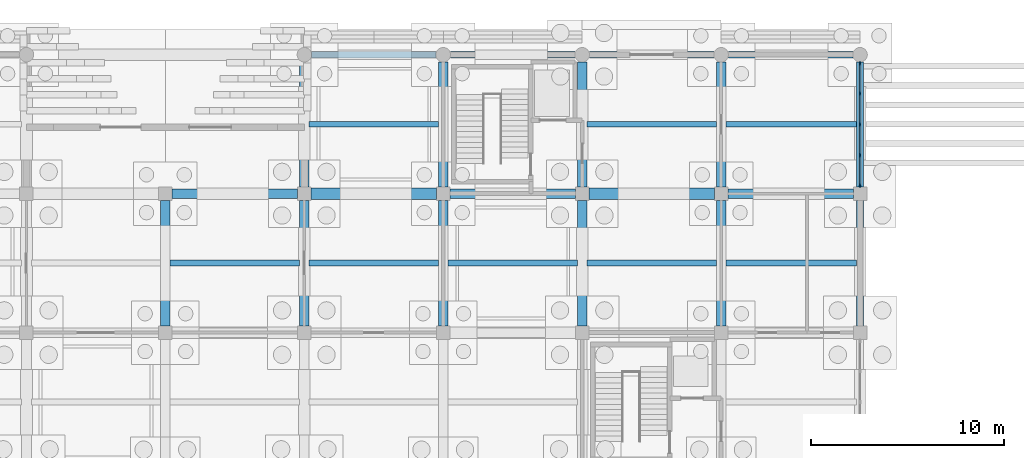
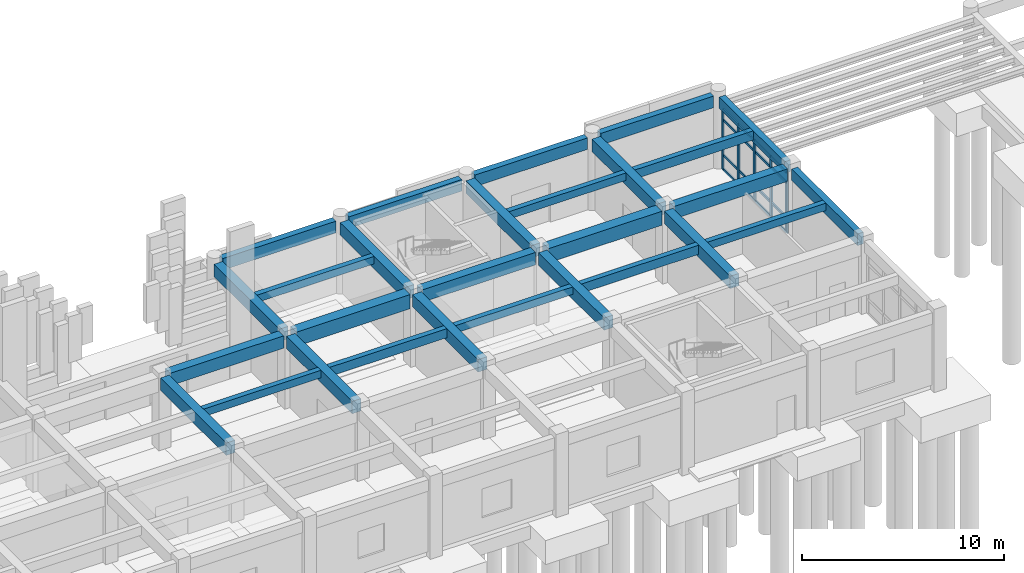
# One storey, part 33 of 79: 28 beams, 21 members, 1 element without a shape of its own.
"""IFC4 building model written with IfcOpenShell, lengths in metres."""

from ifc_helpers import new_model, si_unit, direction, frame, origin, origin_2d, place, context, subcontext, project, spatial, rectangle, extrude, material, layer, layer_set, material_profile, profile_set, type_object, element, aggregate, save


model = new_model("IFC4")

# Units and contexts
model_context = context("Model", 3, precision=1e-05, world=origin(), true_north=direction((0.0, 1.0)))
body_context = subcontext(model_context, "Body", "Model", "MODEL_VIEW")
ifc_project = project(units=[si_unit("LENGTHUNIT", "METRE"), si_unit("AREAUNIT", "SQUARE_METRE"), si_unit("VOLUMEUNIT", "CUBIC_METRE"), si_unit("PLANEANGLEUNIT", "RADIAN"), si_unit("MASSUNIT", "GRAM", prefix="KILO")], contexts=[model_context])

# Site, building, storey
site_placement = place(None, origin())
site = spatial("IfcSite", under=ifc_project, at=site_placement, CompositionType="ELEMENT")
building_placement = place(site_placement, origin())
building = spatial("IfcBuilding", under=site, at=building_placement, Name="Kavelor Marine Aquarium", CompositionType="ELEMENT")
storey_placement = place(building_placement, origin())
storey = spatial("IfcBuildingStorey", under=building, at=storey_placement, Name="L00", CompositionType="ELEMENT", Elevation=0.0)

# Beams
ifc_material_1 = material(Name="Concrete C40/50", Category="concrete")
ifc_material_profile_1 = material_profile(ifc_material_1, rectangle(XDim=0.60009765625, YDim=0.85009765625, at=origin_2d()), Name="RC-BM 600x850")
ifc_profile_set_1 = profile_set([ifc_material_profile_1], Name="Concrete C40/50")
beam_type_1 = type_object("IfcBeamType", Name="BM-B1", PredefinedType="BEAM", material=ifc_profile_set_1)
for number, where, z_axis, x_axis, name in (
    (1, (75.550048828125, 103.60009765625, 3.955078125), (1.0, 0.0, 0.0), (0.0, 1.0, 0.0), "bm:x:L00:L01:10_14"),
    (2, (89.949951171875, 103.60009765625, 3.955078125), (1.0, 0.0, 0.0), (0.0, 1.0, 0.0), "bm:x:L00:L01:12_14"),
):
    element("IfcBeam", number, at=place(storey_placement, frame(where, z_axis=z_axis, x_axis=x_axis)), inside=storey, type_object=beam_type_1, Name=name, PredefinedType="BEAM", context=body_context, shape_type="SweptSolid", body=[
        extrude(rectangle(XDim=0.60009765625, YDim=0.85009765625, at=origin_2d()), origin(), (0.0, 0.0, 1.0), 6.5),
    ])
ifc_material_2 = material(Name="Concrete C40/50", Category="concrete")
ifc_material_profile_2 = material_profile(ifc_material_2, rectangle(XDim=0.5, YDim=0.75, at=origin_2d()), Name="RC-BM 500x750")
ifc_profile_set_2 = profile_set([ifc_material_profile_2], Name="Concrete C40/50")
beam_type_2 = type_object("IfcBeamType", Name="BM-B2", PredefinedType="BEAM", material=ifc_profile_set_2)
for number, where, z_axis, x_axis, name in (
    (3, (68.35009765625, 103.60009765625, 4.0048828125), (1.0, 0.0, 0.0), (0.0, 1.0, 0.0), "bm:x:L00:L01:09_14"),
    (4, (82.75, 103.60009765625, 4.0048828125), (1.0, 0.0, 0.0), (0.0, 1.0, 0.0), "bm:x:L00:L01:11_14"),
    (5, (97.14990234375, 103.60009765625, 4.0048828125), (1.0, 0.0, 0.0), (0.0, 1.0, 0.0), "bm:x:L00:L01:13_14"),
    (6, (68.0, 96.75, 4.0048828125), (0.0, 1.0, 0.0), (-1.0, 0.0, 0.0), "bm:y:L00:L01:09_13"),
    (7, (75.199951171875, 96.75, 4.0048828125), (0.0, 1.0, 0.0), (-1.0, 0.0, 0.0), "bm:y:L00:L01:10_13"),
):
    element("IfcBeam", number, at=place(storey_placement, frame(where, z_axis=z_axis, x_axis=x_axis)), inside=storey, type_object=beam_type_2, Name=name, PredefinedType="BEAM", context=body_context, shape_type="SweptSolid", body=[
        extrude(rectangle(XDim=0.5, YDim=0.75, at=origin_2d()), origin(), (0.0, 0.0, 1.0), 6.5),
    ])
beam_1_placement = place(storey_placement, frame((75.199951171875, 103.949951171875, 4.0048828125), z_axis=(0.0, 1.0, 0.0), x_axis=(-1.0, 0.0, 0.0)))
element("IfcBeam", 8, at=beam_1_placement, inside=storey, type_object=beam_type_2, Name="bm:y:L00:L01:10_14", PredefinedType="BEAM", context=body_context, shape_type="SweptSolid", body=[
    extrude(rectangle(XDim=0.5, YDim=0.75, at=origin_2d()), origin(), (0.0, 0.0, 1.0), 6.47509765625),
])
beam_2_placement = place(storey_placement, frame((82.39990234375, 96.75, 4.0048828125), z_axis=(0.0, 1.0, 0.0), x_axis=(-1.0, 0.0, 0.0)))
element("IfcBeam", 9, at=beam_2_placement, inside=storey, type_object=beam_type_2, Name="bm:y:L00:L01:11_13", PredefinedType="BEAM", context=body_context, shape_type="SweptSolid", body=[
    extrude(rectangle(XDim=0.5, YDim=0.75, at=origin_2d()), origin(), (0.0, 0.0, 1.0), 6.5),
])
beam_3_placement = place(storey_placement, frame((82.39990234375, 103.949951171875, 4.0048828125), z_axis=(0.0, 1.0, 0.0), x_axis=(-1.0, 0.0, 0.0)))
element("IfcBeam", 10, at=beam_3_placement, inside=storey, type_object=beam_type_2, Name="bm:y:L00:L01:11_14", PredefinedType="BEAM", context=body_context, shape_type="SweptSolid", body=[
    extrude(rectangle(XDim=0.5, YDim=0.75, at=origin_2d()), origin(), (0.0, 0.0, 1.0), 6.47509765625),
])
beam_4_placement = place(storey_placement, frame((89.60009765625, 96.75, 4.0048828125), z_axis=(0.0, 1.0, 0.0), x_axis=(-1.0, 0.0, 0.0)))
element("IfcBeam", 11, at=beam_4_placement, inside=storey, type_object=beam_type_2, Name="bm:y:L00:L01:12_13", PredefinedType="BEAM", context=body_context, shape_type="SweptSolid", body=[
    extrude(rectangle(XDim=0.5, YDim=0.75, at=origin_2d()), origin(), (0.0, 0.0, 1.0), 6.5),
])
beam_5_placement = place(storey_placement, frame((89.60009765625, 103.949951171875, 4.0048828125), z_axis=(0.0, 1.0, 0.0), x_axis=(-1.0, 0.0, 0.0)))
element("IfcBeam", 12, at=beam_5_placement, inside=storey, type_object=beam_type_2, Name="bm:y:L00:L01:12_14", PredefinedType="BEAM", context=body_context, shape_type="SweptSolid", body=[
    extrude(rectangle(XDim=0.5, YDim=0.75, at=origin_2d()), origin(), (0.0, 0.0, 1.0), 6.47509765625),
])
beam_6_placement = place(storey_placement, frame((96.800048828125, 96.75, 4.0048828125), z_axis=(0.0, 1.0, 0.0), x_axis=(-1.0, 0.0, 0.0)))
element("IfcBeam", 13, at=beam_6_placement, inside=storey, type_object=beam_type_2, Name="bm:y:L00:L01:13_13", PredefinedType="BEAM", context=body_context, shape_type="SweptSolid", body=[
    extrude(rectangle(XDim=0.5, YDim=0.75, at=origin_2d()), origin(), (0.0, 0.0, 1.0), 6.5),
])
beam_7_placement = place(storey_placement, frame((96.800048828125, 103.949951171875, 4.0048828125), z_axis=(0.0, 1.0, 0.0), x_axis=(-1.0, 0.0, 0.0)))
element("IfcBeam", 14, at=beam_7_placement, inside=storey, type_object=beam_type_2, Name="bm:y:L00:L01:13_14", PredefinedType="BEAM", context=body_context, shape_type="SweptSolid", body=[
    extrude(rectangle(XDim=0.5, YDim=0.75, at=origin_2d()), origin(), (0.0, 0.0, 1.0), 6.47509765625),
])
ifc_material_3 = material(Name="Concrete C40/50", Category="concrete")
ifc_material_profile_3 = material_profile(ifc_material_3, rectangle(XDim=0.300048828125, YDim=0.449951171875, at=origin_2d()), Name="RC-JS 300x450")
ifc_profile_set_3 = profile_set([ifc_material_profile_3], Name="Concrete C40/50")
beam_type_3 = type_object("IfcBeamType", Name="BM-JS1", PredefinedType="JOIST", material=ifc_profile_set_3)
for number, where, z_axis, x_axis, name in (
    (15, (68.25, 100.0, 4.155029296875), (1.0, 0.0, 0.0), (0.0, 1.0, 0.0), "js:L00:L01:09_13"),
    (16, (75.449951171875, 107.199951171875, 4.155029296875), (1.0, 0.0, 0.0), (0.0, 1.0, 0.0), "js:L00:L01:10_14"),
):
    element("IfcBeam", number, at=place(storey_placement, frame(where, z_axis=z_axis, x_axis=x_axis)), inside=storey, type_object=beam_type_3, Name=name, PredefinedType="JOIST", context=body_context, shape_type="SweptSolid", body=[
        extrude(rectangle(XDim=0.300048828125, YDim=0.449951171875, at=origin_2d()), origin(), (0.0, 0.0, 1.0), 6.699951171875),
    ])
beam_8_placement = place(storey_placement, frame((82.64990234375, 100.0, 4.155029296875), z_axis=(1.0, 0.0, 0.0), x_axis=(0.0, 1.0, 0.0)))
element("IfcBeam", 17, at=beam_8_placement, inside=storey, type_object=beam_type_3, Name="js:L00:L01:11_13", PredefinedType="JOIST", context=body_context, shape_type="SweptSolid", body=[
    extrude(rectangle(XDim=0.300048828125, YDim=0.449951171875, at=origin_2d()), origin(), (0.0, 0.0, 1.0), 6.7001953125),
])
beam_9_placement = place(storey_placement, frame((89.85009765625, 107.199951171875, 4.155029296875), z_axis=(1.0, 0.0, 0.0), x_axis=(0.0, 1.0, 0.0)))
element("IfcBeam", 18, at=beam_9_placement, inside=storey, type_object=beam_type_3, Name="js:L00:L01:12_14", PredefinedType="JOIST", context=body_context, shape_type="SweptSolid", body=[
    extrude(rectangle(XDim=0.300048828125, YDim=0.449951171875, at=origin_2d()), origin(), (0.0, 0.0, 1.0), 6.699951171875),
])
beam_10_placement = place(storey_placement, frame((97.050048828125, 100.0, 4.155029296875), z_axis=(1.0, 0.0, 0.0), x_axis=(0.0, 1.0, 0.0)))
element("IfcBeam", 19, at=beam_10_placement, inside=storey, type_object=beam_type_3, Name="js:L00:L01:13_13", PredefinedType="JOIST", context=body_context, shape_type="SweptSolid", body=[
    extrude(rectangle(XDim=0.300048828125, YDim=0.449951171875, at=origin_2d()), origin(), (0.0, 0.0, 1.0), 6.77490234375),
])
ifc_material_4 = material(Name="Concrete C40/50", Category="concrete")
ifc_material_profile_4 = material_profile(ifc_material_4, rectangle(XDim=0.300048828125, YDim=0.550048828125, at=origin_2d()), Name="RC-JS 300x550")
ifc_profile_set_4 = profile_set([ifc_material_profile_4], Name="Concrete C40/50")
beam_type_4 = type_object("IfcBeamType", Name="BM-JS2", PredefinedType="JOIST", material=ifc_profile_set_4)
for number, where, z_axis, x_axis, name in (
    (20, (75.449951171875, 100.0, 4.10498046875), (1.0, 0.0, 0.0), (0.0, 1.0, 0.0), "js:L00:L01:10_13"),
    (21, (89.85009765625, 100.0, 4.10498046875), (1.0, 0.0, 0.0), (0.0, 1.0, 0.0), "js:L00:L01:12_13"),
):
    element("IfcBeam", number, at=place(storey_placement, frame(where, z_axis=z_axis, x_axis=x_axis)), inside=storey, type_object=beam_type_4, Name=name, PredefinedType="JOIST", context=body_context, shape_type="SweptSolid", body=[
        extrude(rectangle(XDim=0.300048828125, YDim=0.550048828125, at=origin_2d()), origin(), (0.0, 0.0, 1.0), 6.699951171875),
    ])
beam_11_placement = place(storey_placement, frame((97.050048828125, 107.199951171875, 4.10498046875), z_axis=(1.0, 0.0, 0.0), x_axis=(0.0, 1.0, 0.0)))
element("IfcBeam", 22, at=beam_11_placement, inside=storey, type_object=beam_type_4, Name="js:L00:L01:13_14", PredefinedType="JOIST", context=body_context, shape_type="SweptSolid", body=[
    extrude(rectangle(XDim=0.300048828125, YDim=0.550048828125, at=origin_2d()), origin(), (0.0, 0.0, 1.0), 6.77490234375),
])
ifc_material_5 = material(Name="Concrete C40/50", Category="concrete")
ifc_material_profile_5 = material_profile(ifc_material_5, rectangle(XDim=0.35009765625, YDim=0.699951171875, at=origin_2d()), Name="RC-SP 350x700")
ifc_profile_set_5 = profile_set([ifc_material_profile_5], Name="Concrete C40/50")
beam_type_5 = type_object("IfcBeamType", Name="BM-SP1", PredefinedType="SPANDREL", material=ifc_profile_set_5)
beam_12_placement = place(storey_placement, frame((75.574951171875, 110.800048828125, 4.030029296875), z_axis=(1.0, 0.0, 0.0), x_axis=(0.0, 1.0, 0.0)))
element("IfcBeam", 23, at=beam_12_placement, inside=storey, type_object=beam_type_5, Name="bm:x:L00:L01:10_15", PredefinedType="SPANDREL", context=body_context, shape_type="SweptSolid", body=[
    extrude(rectangle(XDim=0.35009765625, YDim=0.699951171875, at=origin_2d()), origin(), (0.0, 0.0, 1.0), 6.449951171875),
])
beam_13_placement = place(storey_placement, frame((82.77490234375, 110.800048828125, 4.030029296875), z_axis=(1.0, 0.0, 0.0), x_axis=(0.0, 1.0, 0.0)))
element("IfcBeam", 24, at=beam_13_placement, inside=storey, type_object=beam_type_5, Name="bm:x:L00:L01:11_15", PredefinedType="SPANDREL", context=body_context, shape_type="SweptSolid", body=[
    extrude(rectangle(XDim=0.35009765625, YDim=0.699951171875, at=origin_2d()), origin(), (0.0, 0.0, 1.0), 6.4501953125),
])
for number, where, z_axis, x_axis, name in (
    (25, (89.97509765625, 110.800048828125, 4.030029296875), (1.0, 0.0, 0.0), (0.0, 1.0, 0.0), "bm:x:L00:L01:12_15"),
    (26, (97.175048828125, 110.800048828125, 4.030029296875), (1.0, 0.0, 0.0), (0.0, 1.0, 0.0), "bm:x:L00:L01:13_15"),
):
    element("IfcBeam", number, at=place(storey_placement, frame(where, z_axis=z_axis, x_axis=x_axis)), inside=storey, type_object=beam_type_5, Name=name, PredefinedType="SPANDREL", context=body_context, shape_type="SweptSolid", body=[
        extrude(rectangle(XDim=0.35009765625, YDim=0.699951171875, at=origin_2d()), origin(), (0.0, 0.0, 1.0), 6.449951171875),
    ])
beam_14_placement = place(storey_placement, frame((104.0, 96.75, 4.030029296875), z_axis=(0.0, 1.0, 0.0), x_axis=(-1.0, 0.0, 0.0)))
element("IfcBeam", 27, at=beam_14_placement, inside=storey, type_object=beam_type_5, Name="bm:y:L00:L01:14_13", PredefinedType="SPANDREL", context=body_context, shape_type="SweptSolid", body=[
    extrude(rectangle(XDim=0.35009765625, YDim=0.699951171875, at=origin_2d()), origin(), (0.0, 0.0, 1.0), 6.5),
])
beam_15_placement = place(storey_placement, frame((104.0, 103.949951171875, 4.030029296875), z_axis=(0.0, 1.0, 0.0), x_axis=(-1.0, 0.0, 0.0)))
element("IfcBeam", 28, at=beam_15_placement, inside=storey, type_object=beam_type_5, Name="bm:y:L00:L01:14_14", PredefinedType="SPANDREL", context=body_context, shape_type="SweptSolid", body=[
    extrude(rectangle(XDim=0.35009765625, YDim=0.699951171875, at=origin_2d()), origin(), (0.0, 0.0, 1.0), 6.47509765625),
])

# Curtain wall, members
ifc_material_6 = material(Name="Thermally Broken Aluminium and Low-E Glass", Category="aluminium")
ifc_layer = layer(ifc_material_6, 0.236083984375)
ifc_layer_set = layer_set([ifc_layer], Name="CW-SYS12")
curtain_wall_type = type_object("IfcCurtainWallType", Name="CW-SYS12", PredefinedType="USERDEFINED", material=ifc_layer_set)
curtain_wall_placement = place(storey_placement, origin())
curtain_wall = element("IfcCurtainWall", 29, at=curtain_wall_placement, inside=storey, type_object=curtain_wall_type, Name="cw:y:L00:14_14", ObjectType="Curtain Wall", PredefinedType="USERDEFINED")
ifc_material_7 = material(Name="Anodised Aluminium Alloy 6063-T6", Category="aluminium")
ifc_material_profile_6 = material_profile(ifc_material_7, rectangle(XDim=0.0849609375, YDim=0.18994140625, at=origin_2d()), Name="CW-MUL 85x190")
ifc_profile_set_6 = profile_set([ifc_material_profile_6], Name="Anodised Aluminium Alloy 6063-T6")
member_type_1 = type_object("IfcMemberType", Name="CWM-3", PredefinedType="MULLION", material=ifc_profile_set_6)
member_1_placement = place(storey_placement, frame((104.0, 104.02490234375, 0.0), z_axis=(0.0, 0.0, 1.0), x_axis=(-1.0, 0.0, 0.0)))
member_1 = element("IfcMember", 30, at=member_1_placement, type_object=member_type_1, Name="CW12 mullion 1", PredefinedType="MULLION", context=body_context, shape_type="SweptSolid", body=[
    extrude(rectangle(XDim=0.0849609375, YDim=0.18994140625, at=origin_2d()), origin(), (0.0, 0.0, 1.0), 3.669921875),
])
member_2_placement = place(storey_placement, frame((104.0, 105.59130859375, 0.0), z_axis=(0.0, 0.0, 1.0), x_axis=(-1.0, 0.0, 0.0)))
member_2 = element("IfcMember", 31, at=member_2_placement, type_object=member_type_1, Name="CW12 mullion 2", PredefinedType="MULLION", context=body_context, shape_type="SweptSolid", body=[
    extrude(rectangle(XDim=0.0849609375, YDim=0.18994140625, at=origin_2d()), origin(), (0.0, 0.0, 1.0), 3.669921875),
])
member_3_placement = place(storey_placement, frame((104.0, 107.1875, 0.0), z_axis=(0.0, 0.0, 1.0), x_axis=(-1.0, 0.0, 0.0)))
member_3 = element("IfcMember", 32, at=member_3_placement, type_object=member_type_1, Name="CW12 mullion 3", PredefinedType="MULLION", context=body_context, shape_type="SweptSolid", body=[
    extrude(rectangle(XDim=0.0849609375, YDim=0.18994140625, at=origin_2d()), origin(), (0.0, 0.0, 1.0), 3.669921875),
])
member_4_placement = place(storey_placement, frame((104.0, 108.78369140625, 0.0), z_axis=(0.0, 0.0, 1.0), x_axis=(-1.0, 0.0, 0.0)))
member_4 = element("IfcMember", 33, at=member_4_placement, type_object=member_type_1, Name="CW12 mullion 4", PredefinedType="MULLION", context=body_context, shape_type="SweptSolid", body=[
    extrude(rectangle(XDim=0.0849609375, YDim=0.18994140625, at=origin_2d()), origin(), (0.0, 0.0, 1.0), 3.669921875),
])
member_5_placement = place(storey_placement, frame((104.0, 110.35009765625, 0.0), z_axis=(0.0, 0.0, 1.0), x_axis=(-1.0, 0.0, 0.0)))
member_5 = element("IfcMember", 34, at=member_5_placement, type_object=member_type_1, Name="CW12 mullion 5", PredefinedType="MULLION", context=body_context, shape_type="SweptSolid", body=[
    extrude(rectangle(XDim=0.0849609375, YDim=0.18994140625, at=origin_2d()), origin(), (0.0, 0.0, 1.0), 3.669921875),
])
ifc_material_8 = material(Name="Anodised Aluminium Alloy 6063-T6", Category="aluminium")
ifc_material_profile_7 = material_profile(ifc_material_8, rectangle(XDim=0.074951171875, YDim=0.14990234375, at=origin_2d()), Name="CW-TRN 75x150")
ifc_profile_set_7 = profile_set([ifc_material_profile_7], Name="Anodised Aluminium Alloy 6063-T6")
member_type_2 = type_object("IfcMemberType", Name="CWT-1", PredefinedType="USERDEFINED", material=ifc_profile_set_7)
member_6_placement = place(storey_placement, frame((104.0, 104.054931640625, 0.03759765625), z_axis=(0.0, 1.0, 0.0), x_axis=(-1.0, 0.0, 0.0)))
member_6 = element("IfcMember", 35, at=member_6_placement, type_object=member_type_2, Name="CW12 transom 1.1", ObjectType="TRANSOM", PredefinedType="USERDEFINED", context=body_context, shape_type="SweptSolid", body=[
    extrude(rectangle(XDim=0.074951171875, YDim=0.14990234375, at=origin_2d()), origin(), (0.0, 0.0, 1.0), 1.50634765625),
])
member_7_placement = place(storey_placement, frame((104.0, 104.054931640625, 0.89990234375), z_axis=(0.0, 1.0, 0.0), x_axis=(-1.0, 0.0, 0.0)))
member_7 = element("IfcMember", 36, at=member_7_placement, type_object=member_type_2, Name="CW12 transom 1.2", ObjectType="TRANSOM", PredefinedType="USERDEFINED", context=body_context, shape_type="SweptSolid", body=[
    extrude(rectangle(XDim=0.074951171875, YDim=0.14990234375, at=origin_2d()), origin(), (0.0, 0.0, 1.0), 1.50634765625),
])
member_8_placement = place(storey_placement, frame((104.0, 104.054931640625, 3.02001953125), z_axis=(0.0, 1.0, 0.0), x_axis=(-1.0, 0.0, 0.0)))
member_8 = element("IfcMember", 37, at=member_8_placement, type_object=member_type_2, Name="CW12 transom 1.3", ObjectType="TRANSOM", PredefinedType="USERDEFINED", context=body_context, shape_type="SweptSolid", body=[
    extrude(rectangle(XDim=0.074951171875, YDim=0.14990234375, at=origin_2d()), origin(), (0.0, 0.0, 1.0), 1.50634765625),
])
member_9_placement = place(storey_placement, frame((104.0, 104.054931640625, 3.632568359375), z_axis=(0.0, 1.0, 0.0), x_axis=(-1.0, 0.0, 0.0)))
member_9 = element("IfcMember", 38, at=member_9_placement, type_object=member_type_2, Name="CW12 transom 1.4", ObjectType="TRANSOM", PredefinedType="USERDEFINED", context=body_context, shape_type="SweptSolid", body=[
    extrude(rectangle(XDim=0.074951171875, YDim=0.14990234375, at=origin_2d()), origin(), (0.0, 0.0, 1.0), 1.50634765625),
])
member_10_placement = place(storey_placement, frame((104.0, 105.621337890625, 0.03759765625), z_axis=(0.0, 1.0, 0.0), x_axis=(-1.0, 0.0, 0.0)))
member_10 = element("IfcMember", 39, at=member_10_placement, type_object=member_type_2, Name="CW12 transom 2.1", ObjectType="TRANSOM", PredefinedType="USERDEFINED", context=body_context, shape_type="SweptSolid", body=[
    extrude(rectangle(XDim=0.074951171875, YDim=0.14990234375, at=origin_2d()), origin(), (0.0, 0.0, 1.0), 1.5361328125),
])
member_11_placement = place(storey_placement, frame((104.0, 105.621337890625, 0.89990234375), z_axis=(0.0, 1.0, 0.0), x_axis=(-1.0, 0.0, 0.0)))
member_11 = element("IfcMember", 40, at=member_11_placement, type_object=member_type_2, Name="CW12 transom 2.2", ObjectType="TRANSOM", PredefinedType="USERDEFINED", context=body_context, shape_type="SweptSolid", body=[
    extrude(rectangle(XDim=0.074951171875, YDim=0.14990234375, at=origin_2d()), origin(), (0.0, 0.0, 1.0), 1.5361328125),
])
member_12_placement = place(storey_placement, frame((104.0, 105.621337890625, 3.02001953125), z_axis=(0.0, 1.0, 0.0), x_axis=(-1.0, 0.0, 0.0)))
member_12 = element("IfcMember", 41, at=member_12_placement, type_object=member_type_2, Name="CW12 transom 2.3", ObjectType="TRANSOM", PredefinedType="USERDEFINED", context=body_context, shape_type="SweptSolid", body=[
    extrude(rectangle(XDim=0.074951171875, YDim=0.14990234375, at=origin_2d()), origin(), (0.0, 0.0, 1.0), 1.5361328125),
])
member_13_placement = place(storey_placement, frame((104.0, 105.621337890625, 3.632568359375), z_axis=(0.0, 1.0, 0.0), x_axis=(-1.0, 0.0, 0.0)))
member_13 = element("IfcMember", 42, at=member_13_placement, type_object=member_type_2, Name="CW12 transom 2.4", ObjectType="TRANSOM", PredefinedType="USERDEFINED", context=body_context, shape_type="SweptSolid", body=[
    extrude(rectangle(XDim=0.074951171875, YDim=0.14990234375, at=origin_2d()), origin(), (0.0, 0.0, 1.0), 1.5361328125),
])
member_14_placement = place(storey_placement, frame((104.0, 107.217529296875, 0.03759765625), z_axis=(0.0, 1.0, 0.0), x_axis=(-1.0, 0.0, 0.0)))
member_14 = element("IfcMember", 43, at=member_14_placement, type_object=member_type_2, Name="CW12 transom 3.1", ObjectType="TRANSOM", PredefinedType="USERDEFINED", context=body_context, shape_type="SweptSolid", body=[
    extrude(rectangle(XDim=0.074951171875, YDim=0.14990234375, at=origin_2d()), origin(), (0.0, 0.0, 1.0), 1.5361328125),
])
member_15_placement = place(storey_placement, frame((104.0, 107.217529296875, 0.89990234375), z_axis=(0.0, 1.0, 0.0), x_axis=(-1.0, 0.0, 0.0)))
member_15 = element("IfcMember", 44, at=member_15_placement, type_object=member_type_2, Name="CW12 transom 3.2", ObjectType="TRANSOM", PredefinedType="USERDEFINED", context=body_context, shape_type="SweptSolid", body=[
    extrude(rectangle(XDim=0.074951171875, YDim=0.14990234375, at=origin_2d()), origin(), (0.0, 0.0, 1.0), 1.5361328125),
])
member_16_placement = place(storey_placement, frame((104.0, 107.217529296875, 3.02001953125), z_axis=(0.0, 1.0, 0.0), x_axis=(-1.0, 0.0, 0.0)))
member_16 = element("IfcMember", 45, at=member_16_placement, type_object=member_type_2, Name="CW12 transom 3.3", ObjectType="TRANSOM", PredefinedType="USERDEFINED", context=body_context, shape_type="SweptSolid", body=[
    extrude(rectangle(XDim=0.074951171875, YDim=0.14990234375, at=origin_2d()), origin(), (0.0, 0.0, 1.0), 1.5361328125),
])
member_17_placement = place(storey_placement, frame((104.0, 107.217529296875, 3.632568359375), z_axis=(0.0, 1.0, 0.0), x_axis=(-1.0, 0.0, 0.0)))
member_17 = element("IfcMember", 46, at=member_17_placement, type_object=member_type_2, Name="CW12 transom 3.4", ObjectType="TRANSOM", PredefinedType="USERDEFINED", context=body_context, shape_type="SweptSolid", body=[
    extrude(rectangle(XDim=0.074951171875, YDim=0.14990234375, at=origin_2d()), origin(), (0.0, 0.0, 1.0), 1.5361328125),
])
member_18_placement = place(storey_placement, frame((104.0, 108.813720703125, 0.03759765625), z_axis=(0.0, 1.0, 0.0), x_axis=(-1.0, 0.0, 0.0)))
member_18 = element("IfcMember", 47, at=member_18_placement, type_object=member_type_2, Name="CW12 transom 4.1", ObjectType="TRANSOM", PredefinedType="USERDEFINED", context=body_context, shape_type="SweptSolid", body=[
    extrude(rectangle(XDim=0.074951171875, YDim=0.14990234375, at=origin_2d()), origin(), (0.0, 0.0, 1.0), 1.50634765625),
])
member_19_placement = place(storey_placement, frame((104.0, 108.813720703125, 0.89990234375), z_axis=(0.0, 1.0, 0.0), x_axis=(-1.0, 0.0, 0.0)))
member_19 = element("IfcMember", 48, at=member_19_placement, type_object=member_type_2, Name="CW12 transom 4.2", ObjectType="TRANSOM", PredefinedType="USERDEFINED", context=body_context, shape_type="SweptSolid", body=[
    extrude(rectangle(XDim=0.074951171875, YDim=0.14990234375, at=origin_2d()), origin(), (0.0, 0.0, 1.0), 1.50634765625),
])
member_20_placement = place(storey_placement, frame((104.0, 108.813720703125, 3.02001953125), z_axis=(0.0, 1.0, 0.0), x_axis=(-1.0, 0.0, 0.0)))
member_20 = element("IfcMember", 49, at=member_20_placement, type_object=member_type_2, Name="CW12 transom 4.3", ObjectType="TRANSOM", PredefinedType="USERDEFINED", context=body_context, shape_type="SweptSolid", body=[
    extrude(rectangle(XDim=0.074951171875, YDim=0.14990234375, at=origin_2d()), origin(), (0.0, 0.0, 1.0), 1.50634765625),
])
member_21_placement = place(storey_placement, frame((104.0, 108.813720703125, 3.632568359375), z_axis=(0.0, 1.0, 0.0), x_axis=(-1.0, 0.0, 0.0)))
member_21 = element("IfcMember", 50, at=member_21_placement, type_object=member_type_2, Name="CW12 transom 4.4", ObjectType="TRANSOM", PredefinedType="USERDEFINED", context=body_context, shape_type="SweptSolid", body=[
    extrude(rectangle(XDim=0.074951171875, YDim=0.14990234375, at=origin_2d()), origin(), (0.0, 0.0, 1.0), 1.50634765625),
])
aggregate(curtain_wall, [member_1, member_2, member_3, member_4, member_5, member_6, member_7, member_8, member_9, member_10, member_11, member_12, member_13, member_14, member_15, member_16, member_17, member_18, member_19, member_20, member_21])

save(model, "model.ifc")
